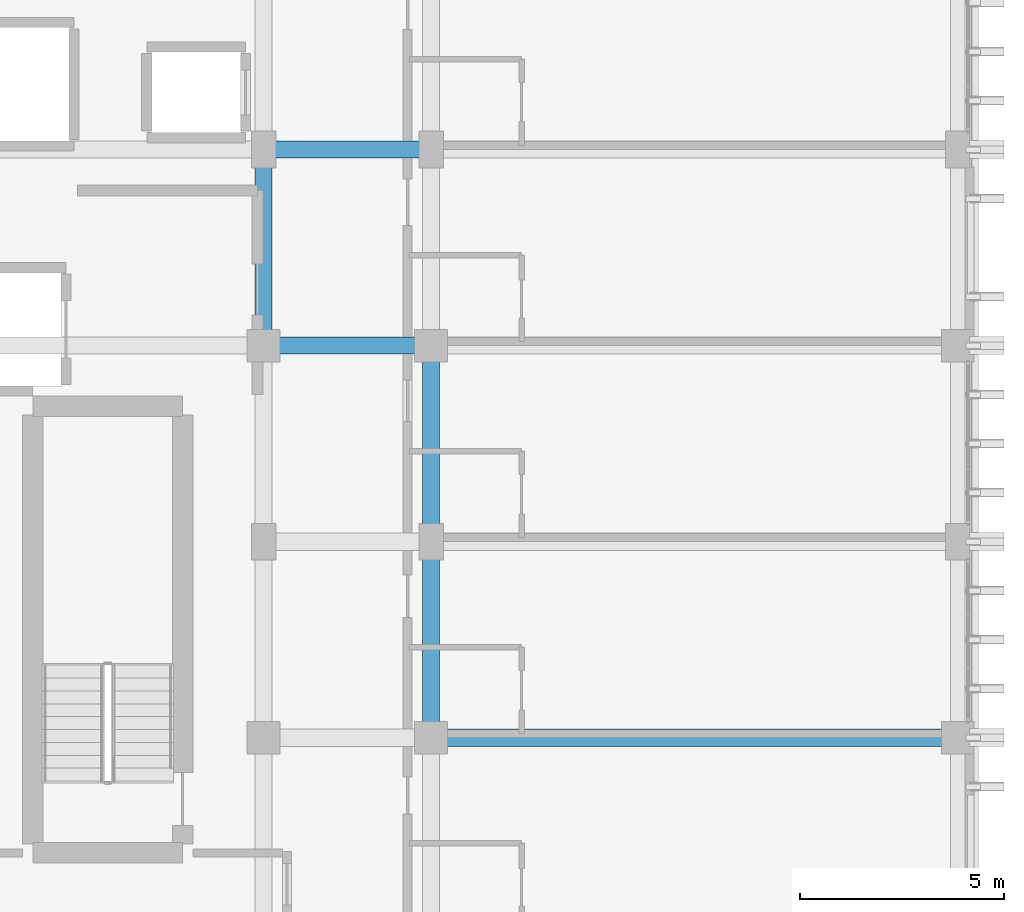
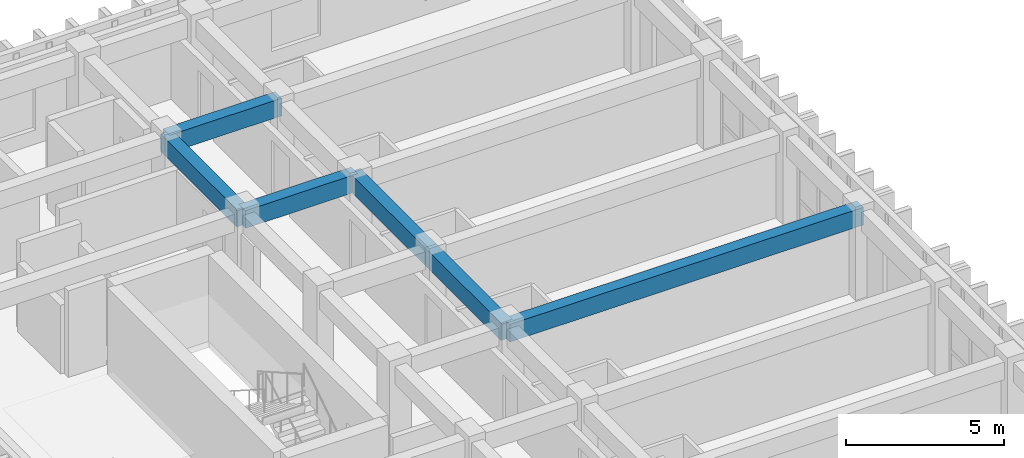
# One storey, part 48 of 82: 6 beams.
"""IFC4 building model written with IfcOpenShell, lengths in metres."""

import ifcopenshell
import ifcopenshell.guid

model = None  # the IFC model being written
_history = None  # IfcOwnerHistory: only IFC2X3 demands one
_inside = {}  # id of a spatial element -> (the spatial element, [elements in it])
_under = {}  # id of a project, library or spatial element -> (it, [spatial elements below it])
_declared = {}  # id of a project -> (the project, [libraries it declares])
_typed = {}  # id of a type object -> (the type object, [elements of that type])
_made_of = {}  # id of a material, layer set ... -> (it, [elements and type objects made of it])


def new_model(schema):
    """Start an empty IFC model of exactly this schema.

    Asked for "IFC4X3", IfcOpenShell would pick the latest addendum, in which some entities
    have other attributes; the version numbers below select the first issue.
    IFC2X3 requires an IfcOwnerHistory on every rooted entity: one is made here for all.
    """
    global model, _history
    if schema == "IFC4X3":
        model = ifcopenshell.file(schema_version=(4, 3, 0, 0))
    else:
        model = ifcopenshell.file(schema=schema)
    _inside.clear()
    _under.clear()
    _declared.clear()
    _typed.clear()
    _made_of.clear()
    _history = None
    if model.schema == "IFC2X3":
        org = make("IfcOrganization", Name="unknown")
        user = make(
            "IfcPersonAndOrganization",
            ThePerson=make("IfcPerson", FamilyName="unknown"),
            TheOrganization=org,
        )
        app = make(
            "IfcApplication",
            ApplicationDeveloper=org,
            Version="unknown",
            ApplicationFullName="unknown",
            ApplicationIdentifier="unknown",
        )
        _history = make(
            "IfcOwnerHistory",
            OwningUser=user,
            OwningApplication=app,
            ChangeAction="ADDED",
            CreationDate=0,
        )
    return model


def make(cls, **values):
    """One entity of the class cls with the attributes given. An attribute that is None is left unset."""
    return model.create_entity(
        cls, **{name: value for name, value in values.items() if value is not None}
    )


def rooted(cls, **values):
    """An entity with a GlobalId (a new one), such as an element, a storey or a relation."""
    return make(cls, GlobalId=ifcopenshell.guid.new(), OwnerHistory=_history, **values)


def si_unit(unit_type, name, prefix=None):
    """IfcSIUnit, for example si_unit("LENGTHUNIT", "METRE", prefix="MILLI")."""
    return make("IfcSIUnit", UnitType=unit_type, Prefix=prefix, Name=name)


def assignment(units):
    """IfcUnitAssignment: the units of a project."""
    return None if units is None else make("IfcUnitAssignment", Units=units)


def point(xyz):
    """IfcCartesianPoint."""
    return None if xyz is None else make("IfcCartesianPoint", Coordinates=xyz)


def direction(xyz):
    """IfcDirection."""
    return None if xyz is None else make("IfcDirection", DirectionRatios=xyz)


def frame(location, z_axis=None, x_axis=None):
    """IfcAxis2Placement3D, a coordinate frame: its origin and axes. An axis left out is left unset."""
    return make(
        "IfcAxis2Placement3D",
        Location=point(location),
        Axis=direction(z_axis),
        RefDirection=direction(x_axis),
    )


def frame_2d(location, x_axis=None):
    """IfcAxis2Placement2D, a coordinate frame in the plane: its origin and x axis."""
    return make(
        "IfcAxis2Placement2D", Location=point(location), RefDirection=direction(x_axis)
    )


def origin():
    """The frame at (0, 0, 0) with its axes left unset."""
    return frame((0.0, 0.0, 0.0))


def origin_2d():
    """The frame at (0, 0) in the plane with its x axis left unset."""
    return frame_2d((0.0, 0.0))


def place(relative_to, where):
    """IfcLocalPlacement: puts the frame where relative to a parent placement (None: the world)."""
    return make(
        "IfcLocalPlacement", PlacementRelTo=relative_to, RelativePlacement=where
    )


def context(
    kind, dimensions, precision=None, world=None, true_north=None, identifier=None
):
    """IfcGeometricRepresentationContext, for example the 3D "Model" context."""
    return make(
        "IfcGeometricRepresentationContext",
        ContextIdentifier=identifier,
        ContextType=kind,
        CoordinateSpaceDimension=dimensions,
        Precision=precision,
        WorldCoordinateSystem=world,
        TrueNorth=true_north,
    )


def subcontext(parent, identifier, kind, view, scale=None):
    """IfcGeometricRepresentationSubContext, for example "Body" below "Model"."""
    return make(
        "IfcGeometricRepresentationSubContext",
        ContextIdentifier=identifier,
        ContextType=kind,
        ParentContext=parent,
        TargetScale=scale,
        TargetView=view,
    )


def project(units=None, contexts=None):
    """IfcProject with its units and contexts."""
    return rooted(
        "IfcProject",
        Name="project",
        RepresentationContexts=contexts,
        UnitsInContext=assignment(units),
    )


def spatial(cls, under=None, at=None, **own):
    """A site, building, storey or space (cls), placed at a placement, below another one or the project."""
    s = rooted(cls, ObjectPlacement=at, **own)
    if under is not None:
        _under.setdefault(under.id(), (under, []))[1].append(s)
    return s


def profile(cls, at=None, kind="AREA", **sizes):
    """A parametric profile (cls). Its sizes go by their IFC names, for example OverallWidth=200.0."""
    return make(cls, ProfileType=kind, Position=at, **sizes)


def rectangle(**sizes):
    """IfcRectangleProfileDef."""
    return profile("IfcRectangleProfileDef", **sizes)


def extrude(swept, where, along, depth):
    """IfcExtrudedAreaSolid: the profile swept, set in the frame where, extruded along a direction by depth."""
    return make(
        "IfcExtrudedAreaSolid",
        SweptArea=swept,
        Position=where,
        ExtrudedDirection=direction(along),
        Depth=depth,
    )


def shape(context_of_items, identifier, shape_type, items):
    """IfcShapeRepresentation: the items that make up one representation, for example the "Body"."""
    return make(
        "IfcShapeRepresentation",
        ContextOfItems=context_of_items,
        RepresentationIdentifier=identifier,
        RepresentationType=shape_type,
        Items=items,
    )


def material(Name=None, Category=None):
    """IfcMaterial."""
    return make("IfcMaterial", Name=Name, Category=Category)


def material_profile(
    of_material, cross_section, Name=None, Category=None, Priority=None
):
    """IfcMaterialProfile: a cross section and its material."""
    return make(
        "IfcMaterialProfile",
        Name=Name,
        Material=of_material,
        Profile=cross_section,
        Priority=Priority,
        Category=Category,
    )


def profile_set(profiles, Name=None, composite=None):
    """IfcMaterialProfileSet."""
    return make(
        "IfcMaterialProfileSet",
        Name=Name,
        MaterialProfiles=profiles,
        CompositeProfile=composite,
    )


def made_of(thing, what):
    """Note that an element or type object is made of a material, layer set ...; save() writes the relation."""
    if what is not None:
        _made_of.setdefault(what.id(), (what, []))[1].append(thing)
    return thing


def type_object(cls, material=None, **own):
    """A type object (cls), such as IfcWallType, which elements share."""
    return made_of(rooted(cls, **own), material)


def element(
    cls,
    number,
    at=None,
    inside=None,
    cuts=None,
    type_object=None,
    material=None,
    context=None,
    identifier="Body",
    shape_type=None,
    held_by="IfcProductDefinitionShape",
    body=None,
    shapes=None,
    **own,
):
    """One element of the class cls, such as IfcWall. Its Tag is "e" and its number.

    at: its placement. inside: the storey or other place that contains it. cuts: it is an
    opening in that element (IfcRelVoidsElement). A single representation is given by context,
    identifier, shape_type and body (its items); several are given by shapes. held_by: the class
    of the entity that holds the representations. save() writes the other relations.
    """
    e = rooted(cls, Tag="e%d" % number, ObjectPlacement=at, **own)
    if body is not None:
        shapes = [shape(context, identifier, shape_type, body)]
    if shapes is not None:
        e.Representation = make(held_by, Representations=shapes)
    if inside is not None:
        _inside.setdefault(inside.id(), (inside, []))[1].append(e)
    if cuts is not None:
        rooted(
            "IfcRelVoidsElement", RelatingBuildingElement=cuts, RelatedOpeningElement=e
        )
    if type_object is not None:
        _typed.setdefault(type_object.id(), (type_object, []))[1].append(e)
    return made_of(e, material)


def aggregate(whole, parts):
    """IfcRelAggregates: a whole, such as a stair, and the parts it consists of."""
    return rooted("IfcRelAggregates", RelatingObject=whole, RelatedObjects=parts)


def save(model, path):
    """Write the relations noted so far, then the file.

    IfcRelAggregates (storeys below a building ...), IfcRelContainedInSpatialStructure (elements
    in a storey), IfcRelDefinesByType, IfcRelAssociatesMaterial and IfcRelDeclares: one each for
    every whole, place, type object, material and project.
    """
    for whole, parts in _under.values():
        aggregate(whole, parts)
    for where, things in _inside.values():
        rooted(
            "IfcRelContainedInSpatialStructure",
            RelatedElements=things,
            RelatingStructure=where,
        )
    for kind, things in _typed.values():
        rooted("IfcRelDefinesByType", RelatedObjects=things, RelatingType=kind)
    for what, things in _made_of.values():
        rooted("IfcRelAssociatesMaterial", RelatedObjects=things, RelatingMaterial=what)
    for by, libraries in _declared.values():
        rooted("IfcRelDeclares", RelatingContext=by, RelatedDefinitions=libraries)
    model.write(path)


model = new_model("IFC4")

# Units and contexts
model_context = context("Model", 3, precision=1e-05, world=origin(), true_north=direction((0.0, 1.0)))
body_context = subcontext(model_context, "Body", "Model", "MODEL_VIEW")
ifc_project = project(units=[si_unit("LENGTHUNIT", "METRE"), si_unit("AREAUNIT", "SQUARE_METRE"), si_unit("VOLUMEUNIT", "CUBIC_METRE"), si_unit("PLANEANGLEUNIT", "RADIAN"), si_unit("MASSUNIT", "GRAM", prefix="KILO")], contexts=[model_context])

# Site, building, storey
site_placement = place(None, origin())
site = spatial("IfcSite", under=ifc_project, at=site_placement, CompositionType="ELEMENT")
building_placement = place(site_placement, origin())
building = spatial("IfcBuilding", under=site, at=building_placement, Name="Nakhvara Creek Congress Hotel", CompositionType="ELEMENT")
storey_placement = place(building_placement, frame((0.0, 0.0, 21.0)))
storey = spatial("IfcBuildingStorey", under=building, at=storey_placement, Name="L04", CompositionType="ELEMENT", Elevation=21.0)

# Beams
ifc_material = material(Name="Concrete C40/50", Category="concrete")
ifc_material_profile = material_profile(ifc_material, rectangle(XDim=0.419921875, YDim=0.679931640625, at=origin_2d()), Name="RC-BM 420x680", Category="LoadBearing")
ifc_profile_set = profile_set([ifc_material_profile], Name="Concrete C40/50")
beam_type = type_object("IfcBeamType", Name="BM-RC-420X680", PredefinedType="BEAM", material=ifc_profile_set)
beam_1_placement = place(storey_placement, frame((162.35009765625, 115.199951171875, 3.0), z_axis=(1.0, 0.0, 0.0), x_axis=(0.0, 1.0, 0.0)))
element("IfcBeam", 1, at=beam_1_placement, inside=storey, type_object=beam_type, Name="Beam B11-L04-1970", PredefinedType="BEAM", context=body_context, shape_type="SweptSolid", body=[
    extrude(rectangle(XDim=0.419921875, YDim=0.679931640625, at=origin_2d()), origin(), (0.0, 0.0, 1.0), 4.099853515625),
])
beam_2_placement = place(storey_placement, frame((162.35009765625, 115.199951171875, 3.0), z_axis=(0.0, 1.0, 0.0), x_axis=(-1.0, 0.0, 0.0)))
element("IfcBeam", 2, at=beam_2_placement, inside=storey, type_object=beam_type, Name="Beam B11-L04-1972", PredefinedType="BEAM", context=body_context, shape_type="SweptSolid", body=[
    extrude(rectangle(XDim=0.419921875, YDim=0.679931640625, at=origin_2d()), origin(), (0.0, 0.0, 1.0), 4.800048828125),
])
beam_3_placement = place(storey_placement, frame((166.449951171875, 105.60009765625, 3.0), z_axis=(1.0, 0.0, 0.0), x_axis=(0.0, 1.0, 0.0)))
element("IfcBeam", 3, at=beam_3_placement, inside=storey, type_object=beam_type, Name="Beam B11-L04-1999", PredefinedType="BEAM", context=body_context, shape_type="SweptSolid", body=[
    extrude(rectangle(XDim=0.419921875, YDim=0.679931640625, at=origin_2d()), origin(), (0.0, 0.0, 1.0), 12.900146484375),
])
beam_4_placement = place(storey_placement, frame((166.449951171875, 105.60009765625, 3.0), z_axis=(0.0, 1.0, 0.0), x_axis=(-1.0, 0.0, 0.0)))
element("IfcBeam", 4, at=beam_4_placement, inside=storey, type_object=beam_type, Name="Beam B11-L04-2001", PredefinedType="BEAM", context=body_context, shape_type="SweptSolid", body=[
    extrude(rectangle(XDim=0.419921875, YDim=0.679931640625, at=origin_2d()), origin(), (0.0, 0.0, 1.0), 4.7998046875),
])
beam_5_placement = place(storey_placement, frame((166.449951171875, 110.39990234375, 3.0), z_axis=(0.0, 1.0, 0.0), x_axis=(-1.0, 0.0, 0.0)))
element("IfcBeam", 5, at=beam_5_placement, inside=storey, type_object=beam_type, Name="Beam B11-L04-2003", PredefinedType="BEAM", context=body_context, shape_type="SweptSolid", body=[
    extrude(rectangle(XDim=0.419921875, YDim=0.679931640625, at=origin_2d()), origin(), (0.0, 0.0, 1.0), 4.800048828125),
])
beam_6_placement = place(storey_placement, frame((162.35009765625, 120.0, 3.0), z_axis=(1.0, 0.0, 0.0), x_axis=(0.0, 1.0, 0.0)))
element("IfcBeam", 6, at=beam_6_placement, inside=storey, type_object=beam_type, Name="Beam B11-L04-2048", PredefinedType="BEAM", context=body_context, shape_type="SweptSolid", body=[
    extrude(rectangle(XDim=0.419921875, YDim=0.679931640625, at=origin_2d()), origin(), (0.0, 0.0, 1.0), 4.099853515625),
])

save(model, "model.ifc")
